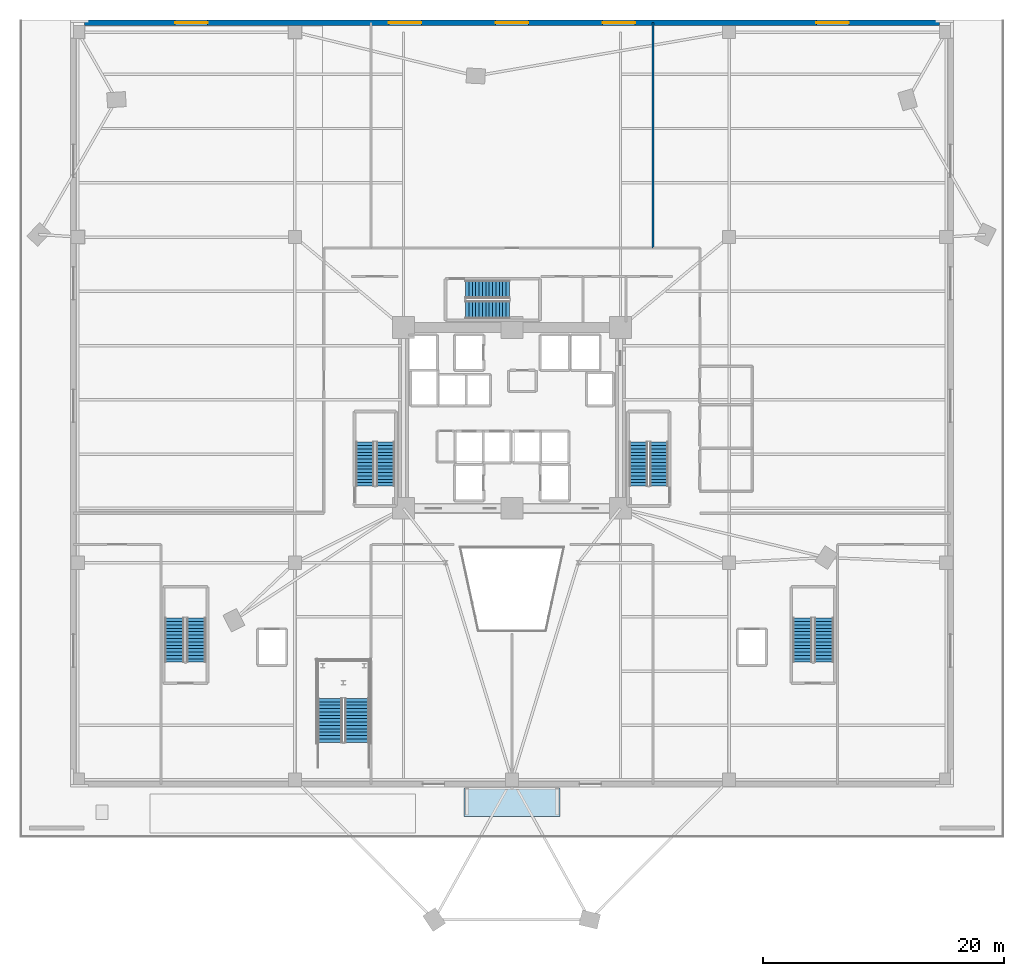
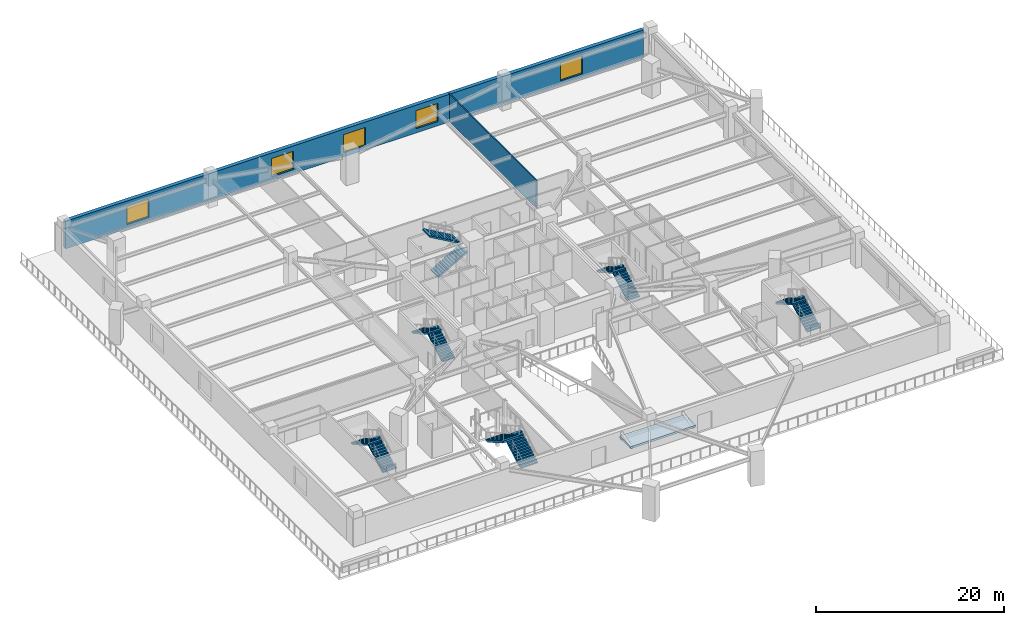
# One storey, part 11 of 19: 12 stair flights, 5 windows, 2 walls, 1 roof, 5 openings, 6 elements without a shape of their own.
"""IFC4 building model written with IfcOpenShell, lengths in metres."""

from ifc_helpers import new_model, si_unit, direction, frame, frame_2d, origin, place, context, subcontext, project, spatial, polyline, rectangle, outline, extrude, source, transform, mapped, material, layer, layer_set, type_object, element, fill, aggregate, save


model = new_model("IFC4")

# Units and contexts
model_context = context("Model", 3, precision=1e-05, world=origin(), true_north=direction((0.0, 1.0)))
body_context = subcontext(model_context, "Body", "Model", "MODEL_VIEW")
ifc_project = project(units=[si_unit("LENGTHUNIT", "METRE"), si_unit("AREAUNIT", "SQUARE_METRE"), si_unit("VOLUMEUNIT", "CUBIC_METRE"), si_unit("PLANEANGLEUNIT", "RADIAN"), si_unit("MASSUNIT", "GRAM", prefix="KILO")], contexts=[model_context])

# Site, building, storey
site_placement = place(None, origin())
site = spatial("IfcSite", under=ifc_project, at=site_placement, CompositionType="ELEMENT")
building_placement = place(site_placement, origin())
building = spatial("IfcBuilding", under=site, at=building_placement, Name="Liaohun Quay Tower", CompositionType="ELEMENT")
storey_placement = place(building_placement, frame((0.0, 0.0, 18.89990234375)))
storey = spatial("IfcBuildingStorey", under=building, at=storey_placement, Name="L05", CompositionType="ELEMENT", Elevation=18.89990234375)

# Wall, openings, windows
ifc_material_1 = material(Name="Precast concrete C50 with granite facing", Category="masonry")
ifc_layer_1 = layer(ifc_material_1, 0.4599609375, Name="Precast concrete C50 with granite facing", Category="masonry")
ifc_layer_set_1 = layer_set([ifc_layer_1], Name="Precast concrete C50 with granite facing")
wall_type_1 = type_object("IfcWallType", Name="WAL-EXT-POD", PredefinedType="SOLIDWALL", material=ifc_layer_set_1)
wall_1_placement = place(storey_placement, frame((95.4599609375, 86.77001953125, 0.0), z_axis=(0.0, 0.0, 1.0), x_axis=(-1.0, 0.0, 0.0)))
wall_1 = element("IfcWall", 1, at=wall_1_placement, inside=storey, type_object=wall_type_1, Name="L05 Podium Precast Facade Wall 02", PredefinedType="SOLIDWALL", context=body_context, shape_type="SweptSolid", body=[
    extrude(rectangle(XDim=70.919921875, YDim=0.4599609375, at=frame_2d((35.4599609375, 0.0))), origin(), (0.0, 0.0, 1.0), 3.60009765625),
])
shared_shape_1 = source(origin(), body_context, "Body", "SweptSolid", [
    extrude(rectangle(XDim=2.699951171875, YDim=2.35009765625, at=frame_2d((1.35009765625, 1.175048828125))), frame((0.0, 0.239990234375, 0.0), z_axis=(0.0, -1.0, 0.0), x_axis=(1.0, 0.0, 0.0)), (0.0, 0.0, 1.0), 0.47998046875),
])
opening_1_placement = place(wall_1_placement, frame((7.514892578125, 0.0, 0.550048828125)))
opening_1 = element("IfcOpeningElement", 2, at=opening_1_placement, cuts=wall_1, Name="Opening W06", PredefinedType="OPENING", context=body_context, shape_type="MappedRepresentation", body=[
    mapped(shared_shape_1, transform((0.0, 0.0, 0.0), x_axis=(1.0, 0.0, 0.0), y_axis=(0.0, 1.0, 0.0), z_axis=(0.0, 0.0, 1.0), scale=1.0)),
])
opening_2_placement = place(wall_1_placement, frame((25.2451171875, 0.0, 0.550048828125)))
opening_2 = element("IfcOpeningElement", 3, at=opening_2_placement, cuts=wall_1, Name="Opening W06", PredefinedType="OPENING", context=body_context, shape_type="MappedRepresentation", body=[
    mapped(shared_shape_1, transform((0.0, 0.0, 0.0), x_axis=(1.0, 0.0, 0.0), y_axis=(0.0, 1.0, 0.0), z_axis=(0.0, 0.0, 1.0), scale=1.0)),
])
opening_3_placement = place(wall_1_placement, frame((34.110107421875, 0.0, 0.550048828125)))
opening_3 = element("IfcOpeningElement", 4, at=opening_3_placement, cuts=wall_1, Name="Opening W06", PredefinedType="OPENING", context=body_context, shape_type="MappedRepresentation", body=[
    mapped(shared_shape_1, transform((0.0, 0.0, 0.0), x_axis=(1.0, 0.0, 0.0), y_axis=(0.0, 1.0, 0.0), z_axis=(0.0, 0.0, 1.0), scale=1.0)),
])
opening_4_placement = place(wall_1_placement, frame((42.97509765625, 0.0, 0.550048828125)))
opening_4 = element("IfcOpeningElement", 5, at=opening_4_placement, cuts=wall_1, Name="Opening W06", PredefinedType="OPENING", context=body_context, shape_type="MappedRepresentation", body=[
    mapped(shared_shape_1, transform((0.0, 0.0, 0.0), x_axis=(1.0, 0.0, 0.0), y_axis=(0.0, 1.0, 0.0), z_axis=(0.0, 0.0, 1.0), scale=1.0)),
])
opening_5_placement = place(wall_1_placement, frame((60.705078125, 0.0, 0.550048828125)))
opening_5 = element("IfcOpeningElement", 6, at=opening_5_placement, cuts=wall_1, Name="Opening W06", PredefinedType="OPENING", context=body_context, shape_type="MappedRepresentation", body=[
    mapped(shared_shape_1, transform((0.0, 0.0, 0.0), x_axis=(1.0, 0.0, 0.0), y_axis=(0.0, 1.0, 0.0), z_axis=(0.0, 0.0, 1.0), scale=1.0)),
])
ifc_material_2 = material(Name="Triple Low-E waterfront podium glazing", Category="glass")
window_type = type_object("IfcWindowType", Name="WIN-POD-ARC", PartitioningType="TRIPLE_PANEL_VERTICAL", PredefinedType="WINDOW", material=ifc_material_2)
shared_shape_2 = source(origin(), body_context, "Body", "SweptSolid", [
    extrude(rectangle(XDim=2.699951171875, YDim=2.35009765625, at=frame_2d((1.35009765625, 1.175048828125))), frame((0.0, 0.030029296875, 0.0), z_axis=(0.0, -1.0, 0.0), x_axis=(1.0, 0.0, 0.0)), (0.0, 0.0, 1.0), 0.06005859375),
])
window_1_placement = place(opening_1_placement, origin())
window_1 = element("IfcWindow", 7, at=window_1_placement, inside=storey, type_object=window_type, Name="L05 Podium Punched Window W06-02-01", OverallHeight=2.35009765625, OverallWidth=2.699951171875, PartitioningType="TRIPLE_PANEL_VERTICAL", PredefinedType="WINDOW", context=body_context, shape_type="MappedRepresentation", body=[
    mapped(shared_shape_2, transform((0.0, 0.0, 0.0), x_axis=(1.0, 0.0, 0.0), y_axis=(0.0, 1.0, 0.0), z_axis=(0.0, 0.0, 1.0), scale=1.0)),
])
fill(opening_1, window_1)
window_2_placement = place(opening_2_placement, origin())
window_2 = element("IfcWindow", 8, at=window_2_placement, inside=storey, type_object=window_type, Name="L05 Podium Punched Window W06-02-03", OverallHeight=2.35009765625, OverallWidth=2.699951171875, PartitioningType="TRIPLE_PANEL_VERTICAL", PredefinedType="WINDOW", context=body_context, shape_type="MappedRepresentation", body=[
    mapped(shared_shape_2, transform((0.0, 0.0, 0.0), x_axis=(1.0, 0.0, 0.0), y_axis=(0.0, 1.0, 0.0), z_axis=(0.0, 0.0, 1.0), scale=1.0)),
])
fill(opening_2, window_2)
window_3_placement = place(opening_3_placement, origin())
window_3 = element("IfcWindow", 9, at=window_3_placement, inside=storey, type_object=window_type, Name="L05 Podium Punched Window W06-02-04", OverallHeight=2.35009765625, OverallWidth=2.699951171875, PartitioningType="TRIPLE_PANEL_VERTICAL", PredefinedType="WINDOW", context=body_context, shape_type="MappedRepresentation", body=[
    mapped(shared_shape_2, transform((0.0, 0.0, 0.0), x_axis=(1.0, 0.0, 0.0), y_axis=(0.0, 1.0, 0.0), z_axis=(0.0, 0.0, 1.0), scale=1.0)),
])
fill(opening_3, window_3)
window_4_placement = place(opening_4_placement, origin())
window_4 = element("IfcWindow", 10, at=window_4_placement, inside=storey, type_object=window_type, Name="L05 Podium Punched Window W06-02-05", OverallHeight=2.35009765625, OverallWidth=2.699951171875, PartitioningType="TRIPLE_PANEL_VERTICAL", PredefinedType="WINDOW", context=body_context, shape_type="MappedRepresentation", body=[
    mapped(shared_shape_2, transform((0.0, 0.0, 0.0), x_axis=(1.0, 0.0, 0.0), y_axis=(0.0, 1.0, 0.0), z_axis=(0.0, 0.0, 1.0), scale=1.0)),
])
fill(opening_4, window_4)
window_5_placement = place(opening_5_placement, origin())
window_5 = element("IfcWindow", 11, at=window_5_placement, inside=storey, type_object=window_type, Name="L05 Podium Punched Window W06-02-07", OverallHeight=2.35009765625, OverallWidth=2.699951171875, PartitioningType="TRIPLE_PANEL_VERTICAL", PredefinedType="WINDOW", context=body_context, shape_type="MappedRepresentation", body=[
    mapped(shared_shape_2, transform((0.0, 0.0, 0.0), x_axis=(1.0, 0.0, 0.0), y_axis=(0.0, 1.0, 0.0), z_axis=(0.0, 0.0, 1.0), scale=1.0)),
])
fill(opening_5, window_5)

# Wall
ifc_material_3 = material(Name="Gypsum board on twin steel studs", Category="steel")
ifc_layer_2 = layer(ifc_material_3, 0.139892578125, Name="Gypsum board on twin steel studs", Category="steel")
ifc_layer_set_2 = layer_set([ifc_layer_2], Name="Gypsum board on twin steel studs")
wall_type_2 = type_object("IfcWallType", Name="WAL-PRT-OFF", PredefinedType="PARTITIONING", material=ifc_layer_set_2)
wall_2_placement = place(storey_placement, frame((71.699951171875, 68.10009765625, 0.0), z_axis=(0.0, 0.0, 1.0), x_axis=(0.0, 1.0, 0.0)))
element("IfcWall", 12, at=wall_2_placement, inside=storey, type_object=wall_type_2, Name="L05 Interior Partition Wall 037", PredefinedType="PARTITIONING", context=body_context, shape_type="SweptSolid", body=[
    extrude(rectangle(XDim=18.6748046875, YDim=0.139892578125, at=frame_2d((9.33740234375, 0.0))), origin(), (0.0, 0.0, 1.0), 3.60009765625),
])

# Stair, stair flights
ifc_material_4 = material(Name="Precast concrete C50", Category="concrete")
stair_type_1 = type_object("IfcStairType", Name="STR-MON-ATR", PredefinedType="STRAIGHT_RUN_STAIR", material=ifc_material_4)
stair_1_placement = place(storey_placement, origin())
stair_1 = element("IfcStair", 13, at=stair_1_placement, inside=storey, type_object=stair_type_1, Name="L05 Monumental Atrium Feature Stair ST-A", PredefinedType="STRAIGHT_RUN_STAIR")
stair_flight_type_1 = type_object("IfcStairFlightType", Name="FLT-ATR-210", PredefinedType="STRAIGHT", material=ifc_material_4)
stair_flight_1_placement = place(storey_placement, frame((47.14990234375, 27.10009765625, 0.0), z_axis=(0.0, 0.0, 1.0), x_axis=(0.0, 1.0, 0.0)))
stair_flight_1 = element("IfcStairFlight", 14, at=stair_flight_1_placement, type_object=stair_flight_type_1, Name="ST-A flight 1", NumberOfRisers=14, NumberOfTreads=13, PredefinedType="STRAIGHT", RiserHeight=0.160714286, TreadLength=0.28, context=body_context, shape_type="SweptSolid", body=[
    extrude(outline(polyline([(0.0, 0.0), (0.0, 0.16064453125), (0.280029296875, 0.16064453125), (0.280029296875, 0.321533203125), (0.56005859375, 0.321533203125), (0.56005859375, 0.482177734375), (0.840087890625, 0.482177734375), (0.840087890625, 0.642822265625), (1.1201171875, 0.642822265625), (1.1201171875, 0.803466796875), (1.39990234375, 0.803466796875), (1.39990234375, 0.96435546875), (1.679931640625, 0.96435546875), (1.679931640625, 1.125), (1.9599609375, 1.125), (1.9599609375, 1.28564453125), (2.239990234375, 1.28564453125), (2.239990234375, 1.446533203125), (2.52001953125, 1.446533203125), (2.52001953125, 1.607177734375), (2.800048828125, 1.607177734375), (2.800048828125, 1.767822265625), (3.080078125, 1.767822265625), (3.080078125, 1.928466796875), (3.360107421875, 1.928466796875), (3.360107421875, 2.08935546875), (3.639892578125, 2.08935546875), (3.639892578125, 2.25), (3.639892578125, 1.835693359375), (0.44189453125, 0.0), (0.0, 0.0)])), frame((0.0, 1.050048828125, 0.0), z_axis=(0.0, -1.0, 0.0), x_axis=(1.0, 0.0, 0.0)), (0.0, 0.0, 1.0), 2.10009765625),
])
stair_flight_2_placement = place(storey_placement, frame((44.909912109375, 30.739990234375, 2.25), z_axis=(0.0, 0.0, 1.0), x_axis=(0.0, -1.0, 0.0)))
stair_flight_2 = element("IfcStairFlight", 15, at=stair_flight_2_placement, type_object=stair_flight_type_1, Name="ST-A flight 2", NumberOfRisers=14, NumberOfTreads=13, PredefinedType="STRAIGHT", RiserHeight=0.160714286, TreadLength=0.28, context=body_context, shape_type="SweptSolid", body=[
    extrude(outline(polyline([(0.0, 0.0), (0.0, 0.16064453125), (0.280029296875, 0.16064453125), (0.280029296875, 0.321533203125), (0.56005859375, 0.321533203125), (0.56005859375, 0.482177734375), (0.840087890625, 0.482177734375), (0.840087890625, 0.642822265625), (1.1201171875, 0.642822265625), (1.1201171875, 0.803466796875), (1.39990234375, 0.803466796875), (1.39990234375, 0.96435546875), (1.679931640625, 0.96435546875), (1.679931640625, 1.125), (1.9599609375, 1.125), (1.9599609375, 1.28564453125), (2.239990234375, 1.28564453125), (2.239990234375, 1.446533203125), (2.52001953125, 1.446533203125), (2.52001953125, 1.607177734375), (2.800048828125, 1.607177734375), (2.800048828125, 1.767822265625), (3.080078125, 1.767822265625), (3.080078125, 1.928466796875), (3.360107421875, 1.928466796875), (3.360107421875, 2.08935546875), (3.639892578125, 2.08935546875), (3.639892578125, 2.25), (3.639892578125, 1.835693359375), (0.44189453125, 0.0), (0.0, 0.0)])), frame((0.0, 1.050048828125, 0.0), z_axis=(0.0, -1.0, 0.0), x_axis=(1.0, 0.0, 0.0)), (0.0, 0.0, 1.0), 2.10009765625),
])
aggregate(stair_1, [stair_flight_1, stair_flight_2])

ifc_material_5 = material(Name="Concrete C45", Category="concrete")
stair_type_2 = type_object("IfcStairType", Name="STR-CORE-TALL", PredefinedType="HALF_TURN_STAIR", material=ifc_material_5)
stair_2_placement = place(storey_placement, origin())
stair_2 = element("IfcStair", 16, at=stair_2_placement, inside=storey, type_object=stair_type_2, Name="L05 Smokeproof Core Exit Stair ST-1", PredefinedType="HALF_TURN_STAIR")
stair_flight_type_2 = type_object("IfcStairFlightType", Name="FLT-CORE-155", PredefinedType="STRAIGHT", material=ifc_material_5)
stair_flight_3_placement = place(storey_placement, frame((49.5048828125, 48.35009765625, 0.0), z_axis=(0.0, 0.0, 1.0), x_axis=(0.0, 1.0, 0.0)))
stair_flight_3 = element("IfcStairFlight", 17, at=stair_flight_3_placement, type_object=stair_flight_type_2, Name="ST-1 flight 1", NumberOfRisers=14, NumberOfTreads=13, PredefinedType="STRAIGHT", RiserHeight=0.160714286, TreadLength=0.28, context=body_context, shape_type="SweptSolid", body=[
    extrude(outline(polyline([(0.0, 0.0), (0.0, 0.16064453125), (0.280029296875, 0.16064453125), (0.280029296875, 0.321533203125), (0.56005859375, 0.321533203125), (0.56005859375, 0.482177734375), (0.840087890625, 0.482177734375), (0.840087890625, 0.642822265625), (1.1201171875, 0.642822265625), (1.1201171875, 0.803466796875), (1.39990234375, 0.803466796875), (1.39990234375, 0.96435546875), (1.679931640625, 0.96435546875), (1.679931640625, 1.125), (1.9599609375, 1.125), (1.9599609375, 1.28564453125), (2.239990234375, 1.28564453125), (2.239990234375, 1.446533203125), (2.52001953125, 1.446533203125), (2.52001953125, 1.607177734375), (2.800048828125, 1.607177734375), (2.800048828125, 1.767822265625), (3.080078125, 1.767822265625), (3.080078125, 1.928466796875), (3.360107421875, 1.928466796875), (3.360107421875, 2.08935546875), (3.639892578125, 2.08935546875), (3.639892578125, 2.25), (3.639892578125, 1.91650390625), (0.301025390625, 0.0), (0.0, 0.0)])), frame((0.0, 0.77490234375, 0.0), z_axis=(0.0, -1.0, 0.0), x_axis=(1.0, 0.0, 0.0)), (0.0, 0.0, 1.0), 1.550048828125),
])
stair_flight_4_placement = place(storey_placement, frame((47.81494140625, 51.989990234375, 2.25), z_axis=(0.0, 0.0, 1.0), x_axis=(0.0, -1.0, 0.0)))
stair_flight_4 = element("IfcStairFlight", 18, at=stair_flight_4_placement, type_object=stair_flight_type_2, Name="ST-1 flight 2", NumberOfRisers=14, NumberOfTreads=13, PredefinedType="STRAIGHT", RiserHeight=0.160714286, TreadLength=0.28, context=body_context, shape_type="SweptSolid", body=[
    extrude(outline(polyline([(0.0, 0.0), (0.0, 0.16064453125), (0.280029296875, 0.16064453125), (0.280029296875, 0.321533203125), (0.56005859375, 0.321533203125), (0.56005859375, 0.482177734375), (0.840087890625, 0.482177734375), (0.840087890625, 0.642822265625), (1.1201171875, 0.642822265625), (1.1201171875, 0.803466796875), (1.39990234375, 0.803466796875), (1.39990234375, 0.96435546875), (1.679931640625, 0.96435546875), (1.679931640625, 1.125), (1.9599609375, 1.125), (1.9599609375, 1.28564453125), (2.239990234375, 1.28564453125), (2.239990234375, 1.446533203125), (2.52001953125, 1.446533203125), (2.52001953125, 1.607177734375), (2.800048828125, 1.607177734375), (2.800048828125, 1.767822265625), (3.080078125, 1.767822265625), (3.080078125, 1.928466796875), (3.360107421875, 1.928466796875), (3.360107421875, 2.08935546875), (3.639892578125, 2.08935546875), (3.639892578125, 2.25), (3.639892578125, 1.91650390625), (0.301025390625, 0.0), (0.0, 0.0)])), frame((0.0, 0.77490234375, 0.0), z_axis=(0.0, -1.0, 0.0), x_axis=(1.0, 0.0, 0.0)), (0.0, 0.0, 1.0), 1.550048828125),
])
aggregate(stair_2, [stair_flight_3, stair_flight_4])

stair_3_placement = place(storey_placement, origin())
stair_3 = element("IfcStair", 19, at=stair_3_placement, inside=storey, type_object=stair_type_2, Name="L05 Smokeproof Core Exit Stair ST-2", PredefinedType="HALF_TURN_STAIR")
stair_flight_5_placement = place(storey_placement, frame((72.18505859375, 48.35009765625, 0.0), z_axis=(0.0, 0.0, 1.0), x_axis=(0.0, 1.0, 0.0)))
stair_flight_5 = element("IfcStairFlight", 20, at=stair_flight_5_placement, type_object=stair_flight_type_2, Name="ST-2 flight 1", NumberOfRisers=14, NumberOfTreads=13, PredefinedType="STRAIGHT", RiserHeight=0.160714286, TreadLength=0.28, context=body_context, shape_type="SweptSolid", body=[
    extrude(outline(polyline([(0.0, 0.0), (0.0, 0.16064453125), (0.280029296875, 0.16064453125), (0.280029296875, 0.321533203125), (0.56005859375, 0.321533203125), (0.56005859375, 0.482177734375), (0.840087890625, 0.482177734375), (0.840087890625, 0.642822265625), (1.1201171875, 0.642822265625), (1.1201171875, 0.803466796875), (1.39990234375, 0.803466796875), (1.39990234375, 0.96435546875), (1.679931640625, 0.96435546875), (1.679931640625, 1.125), (1.9599609375, 1.125), (1.9599609375, 1.28564453125), (2.239990234375, 1.28564453125), (2.239990234375, 1.446533203125), (2.52001953125, 1.446533203125), (2.52001953125, 1.607177734375), (2.800048828125, 1.607177734375), (2.800048828125, 1.767822265625), (3.080078125, 1.767822265625), (3.080078125, 1.928466796875), (3.360107421875, 1.928466796875), (3.360107421875, 2.08935546875), (3.639892578125, 2.08935546875), (3.639892578125, 2.25), (3.639892578125, 1.91650390625), (0.301025390625, 0.0), (0.0, 0.0)])), frame((0.0, 0.77490234375, 0.0), z_axis=(0.0, -1.0, 0.0), x_axis=(1.0, 0.0, 0.0)), (0.0, 0.0, 1.0), 1.550048828125),
])
stair_flight_6_placement = place(storey_placement, frame((70.4951171875, 51.989990234375, 2.25), z_axis=(0.0, 0.0, 1.0), x_axis=(0.0, -1.0, 0.0)))
stair_flight_6 = element("IfcStairFlight", 21, at=stair_flight_6_placement, type_object=stair_flight_type_2, Name="ST-2 flight 2", NumberOfRisers=14, NumberOfTreads=13, PredefinedType="STRAIGHT", RiserHeight=0.160714286, TreadLength=0.28, context=body_context, shape_type="SweptSolid", body=[
    extrude(outline(polyline([(0.0, 0.0), (0.0, 0.16064453125), (0.280029296875, 0.16064453125), (0.280029296875, 0.321533203125), (0.56005859375, 0.321533203125), (0.56005859375, 0.482177734375), (0.840087890625, 0.482177734375), (0.840087890625, 0.642822265625), (1.1201171875, 0.642822265625), (1.1201171875, 0.803466796875), (1.39990234375, 0.803466796875), (1.39990234375, 0.96435546875), (1.679931640625, 0.96435546875), (1.679931640625, 1.125), (1.9599609375, 1.125), (1.9599609375, 1.28564453125), (2.239990234375, 1.28564453125), (2.239990234375, 1.446533203125), (2.52001953125, 1.446533203125), (2.52001953125, 1.607177734375), (2.800048828125, 1.607177734375), (2.800048828125, 1.767822265625), (3.080078125, 1.767822265625), (3.080078125, 1.928466796875), (3.360107421875, 1.928466796875), (3.360107421875, 2.08935546875), (3.639892578125, 2.08935546875), (3.639892578125, 2.25), (3.639892578125, 1.91650390625), (0.301025390625, 0.0), (0.0, 0.0)])), frame((0.0, 0.77490234375, 0.0), z_axis=(0.0, -1.0, 0.0), x_axis=(1.0, 0.0, 0.0)), (0.0, 0.0, 1.0), 1.550048828125),
])
aggregate(stair_3, [stair_flight_5, stair_flight_6])

stair_4_placement = place(storey_placement, origin())
stair_4 = element("IfcStair", 22, at=stair_4_placement, inside=storey, type_object=stair_type_2, Name="L05 Smokeproof Core Exit Stair ST-3", PredefinedType="HALF_TURN_STAIR")
stair_flight_7_placement = place(storey_placement, frame((56.14990234375, 62.97509765625, 0.0), z_axis=(0.0, 0.0, 1.0), x_axis=(1.0, 0.0, 0.0)))
stair_flight_7 = element("IfcStairFlight", 23, at=stair_flight_7_placement, type_object=stair_flight_type_2, Name="ST-3 flight 1", NumberOfRisers=14, NumberOfTreads=13, PredefinedType="STRAIGHT", RiserHeight=0.160714286, TreadLength=0.28, context=body_context, shape_type="SweptSolid", body=[
    extrude(outline(polyline([(0.0, 0.0), (0.0, 0.16064453125), (0.280029296875, 0.16064453125), (0.280029296875, 0.321533203125), (0.56005859375, 0.321533203125), (0.56005859375, 0.482177734375), (0.840087890625, 0.482177734375), (0.840087890625, 0.642822265625), (1.1201171875, 0.642822265625), (1.1201171875, 0.803466796875), (1.39990234375, 0.803466796875), (1.39990234375, 0.96435546875), (1.679931640625, 0.96435546875), (1.679931640625, 1.125), (1.9599609375, 1.125), (1.9599609375, 1.28564453125), (2.239990234375, 1.28564453125), (2.239990234375, 1.446533203125), (2.52001953125, 1.446533203125), (2.52001953125, 1.607177734375), (2.800048828125, 1.607177734375), (2.800048828125, 1.767822265625), (3.080078125, 1.767822265625), (3.080078125, 1.928466796875), (3.360107421875, 1.928466796875), (3.360107421875, 2.08935546875), (3.639892578125, 2.08935546875), (3.639892578125, 2.25), (3.639892578125, 1.91650390625), (0.301025390625, 0.0), (0.0, 0.0)])), frame((0.0, 0.77490234375, 0.0), z_axis=(0.0, -1.0, 0.0), x_axis=(1.0, 0.0, 0.0)), (0.0, 0.0, 1.0), 1.550048828125),
])
stair_flight_8_placement = place(storey_placement, frame((59.7900390625, 64.6650390625, 2.25), z_axis=(0.0, 0.0, 1.0), x_axis=(-1.0, 0.0, 0.0)))
stair_flight_8 = element("IfcStairFlight", 24, at=stair_flight_8_placement, type_object=stair_flight_type_2, Name="ST-3 flight 2", NumberOfRisers=14, NumberOfTreads=13, PredefinedType="STRAIGHT", RiserHeight=0.160714286, TreadLength=0.28, context=body_context, shape_type="SweptSolid", body=[
    extrude(outline(polyline([(0.0, 0.0), (0.0, 0.16064453125), (0.280029296875, 0.16064453125), (0.280029296875, 0.321533203125), (0.56005859375, 0.321533203125), (0.56005859375, 0.482177734375), (0.840087890625, 0.482177734375), (0.840087890625, 0.642822265625), (1.1201171875, 0.642822265625), (1.1201171875, 0.803466796875), (1.39990234375, 0.803466796875), (1.39990234375, 0.96435546875), (1.679931640625, 0.96435546875), (1.679931640625, 1.125), (1.9599609375, 1.125), (1.9599609375, 1.28564453125), (2.239990234375, 1.28564453125), (2.239990234375, 1.446533203125), (2.52001953125, 1.446533203125), (2.52001953125, 1.607177734375), (2.800048828125, 1.607177734375), (2.800048828125, 1.767822265625), (3.080078125, 1.767822265625), (3.080078125, 1.928466796875), (3.360107421875, 1.928466796875), (3.360107421875, 2.08935546875), (3.639892578125, 2.08935546875), (3.639892578125, 2.25), (3.639892578125, 1.91650390625), (0.301025390625, 0.0), (0.0, 0.0)])), frame((0.0, 0.77490234375, 0.0), z_axis=(0.0, -1.0, 0.0), x_axis=(1.0, 0.0, 0.0)), (0.0, 0.0, 1.0), 1.550048828125),
])
aggregate(stair_4, [stair_flight_7, stair_flight_8])

stair_type_3 = type_object("IfcStairType", Name="STR-POD-EXIT", PredefinedType="TWO_STRAIGHT_RUN_STAIR", material=ifc_material_5)
stair_5_placement = place(storey_placement, origin())
stair_5 = element("IfcStair", 25, at=stair_5_placement, inside=storey, type_object=stair_type_3, Name="L05 Podium Smokeproof Exit Stair ST-P1", PredefinedType="TWO_STRAIGHT_RUN_STAIR")
stair_flight_type_3 = type_object("IfcStairFlightType", Name="FLT-POD-165", PredefinedType="STRAIGHT", material=ifc_material_5)
stair_flight_9_placement = place(storey_placement, frame((33.81494140625, 33.75, 0.0), z_axis=(0.0, 0.0, 1.0), x_axis=(0.0, 1.0, 0.0)))
stair_flight_9 = element("IfcStairFlight", 26, at=stair_flight_9_placement, type_object=stair_flight_type_3, Name="ST-P1 flight 1", NumberOfRisers=14, NumberOfTreads=13, PredefinedType="STRAIGHT", RiserHeight=0.160714286, TreadLength=0.28, context=body_context, shape_type="SweptSolid", body=[
    extrude(outline(polyline([(0.0, 0.0), (0.0, 0.16064453125), (0.280029296875, 0.16064453125), (0.280029296875, 0.321533203125), (0.56005859375, 0.321533203125), (0.56005859375, 0.482177734375), (0.840087890625, 0.482177734375), (0.840087890625, 0.642822265625), (1.1201171875, 0.642822265625), (1.1201171875, 0.803466796875), (1.39990234375, 0.803466796875), (1.39990234375, 0.96435546875), (1.679931640625, 0.96435546875), (1.679931640625, 1.125), (1.9599609375, 1.125), (1.9599609375, 1.28564453125), (2.239990234375, 1.28564453125), (2.239990234375, 1.446533203125), (2.52001953125, 1.446533203125), (2.52001953125, 1.607177734375), (2.800048828125, 1.607177734375), (2.800048828125, 1.767822265625), (3.080078125, 1.767822265625), (3.080078125, 1.928466796875), (3.360107421875, 1.928466796875), (3.360107421875, 2.08935546875), (3.639892578125, 2.08935546875), (3.639892578125, 2.25), (3.639892578125, 1.91650390625), (0.301025390625, 0.0), (0.0, 0.0)])), frame((0.0, 0.824951171875, 0.0), z_axis=(0.0, -1.0, 0.0), x_axis=(1.0, 0.0, 0.0)), (0.0, 0.0, 1.0), 1.64990234375),
])
stair_flight_10_placement = place(storey_placement, frame((32.02490234375, 37.389892578125, 2.25), z_axis=(0.0, 0.0, 1.0), x_axis=(0.0, -1.0, 0.0)))
stair_flight_10 = element("IfcStairFlight", 27, at=stair_flight_10_placement, type_object=stair_flight_type_3, Name="ST-P1 flight 2", NumberOfRisers=14, NumberOfTreads=13, PredefinedType="STRAIGHT", RiserHeight=0.160714286, TreadLength=0.28, context=body_context, shape_type="SweptSolid", body=[
    extrude(outline(polyline([(0.0, 0.0), (0.0, 0.16064453125), (0.280029296875, 0.16064453125), (0.280029296875, 0.321533203125), (0.56005859375, 0.321533203125), (0.56005859375, 0.482177734375), (0.840087890625, 0.482177734375), (0.840087890625, 0.642822265625), (1.1201171875, 0.642822265625), (1.1201171875, 0.803466796875), (1.39990234375, 0.803466796875), (1.39990234375, 0.96435546875), (1.679931640625, 0.96435546875), (1.679931640625, 1.125), (1.9599609375, 1.125), (1.9599609375, 1.28564453125), (2.239990234375, 1.28564453125), (2.239990234375, 1.446533203125), (2.52001953125, 1.446533203125), (2.52001953125, 1.607177734375), (2.800048828125, 1.607177734375), (2.800048828125, 1.767822265625), (3.080078125, 1.767822265625), (3.080078125, 1.928466796875), (3.360107421875, 1.928466796875), (3.360107421875, 2.08935546875), (3.639892578125, 2.08935546875), (3.639892578125, 2.25), (3.639892578125, 1.91650390625), (0.301025390625, 0.0), (0.0, 0.0)])), frame((0.0, 0.824951171875, 0.0), z_axis=(0.0, -1.0, 0.0), x_axis=(1.0, 0.0, 0.0)), (0.0, 0.0, 1.0), 1.64990234375),
])
aggregate(stair_5, [stair_flight_9, stair_flight_10])

stair_6_placement = place(storey_placement, origin())
stair_6 = element("IfcStair", 28, at=stair_6_placement, inside=storey, type_object=stair_type_3, Name="L05 Podium Smokeproof Exit Stair ST-P2", PredefinedType="TWO_STRAIGHT_RUN_STAIR")
stair_flight_11_placement = place(storey_placement, frame((85.875, 33.75, 0.0), z_axis=(0.0, 0.0, 1.0), x_axis=(0.0, 1.0, 0.0)))
stair_flight_11 = element("IfcStairFlight", 29, at=stair_flight_11_placement, type_object=stair_flight_type_3, Name="ST-P2 flight 1", NumberOfRisers=14, NumberOfTreads=13, PredefinedType="STRAIGHT", RiserHeight=0.160714286, TreadLength=0.28, context=body_context, shape_type="SweptSolid", body=[
    extrude(outline(polyline([(0.0, 0.0), (0.0, 0.16064453125), (0.280029296875, 0.16064453125), (0.280029296875, 0.321533203125), (0.56005859375, 0.321533203125), (0.56005859375, 0.482177734375), (0.840087890625, 0.482177734375), (0.840087890625, 0.642822265625), (1.1201171875, 0.642822265625), (1.1201171875, 0.803466796875), (1.39990234375, 0.803466796875), (1.39990234375, 0.96435546875), (1.679931640625, 0.96435546875), (1.679931640625, 1.125), (1.9599609375, 1.125), (1.9599609375, 1.28564453125), (2.239990234375, 1.28564453125), (2.239990234375, 1.446533203125), (2.52001953125, 1.446533203125), (2.52001953125, 1.607177734375), (2.800048828125, 1.607177734375), (2.800048828125, 1.767822265625), (3.080078125, 1.767822265625), (3.080078125, 1.928466796875), (3.360107421875, 1.928466796875), (3.360107421875, 2.08935546875), (3.639892578125, 2.08935546875), (3.639892578125, 2.25), (3.639892578125, 1.91650390625), (0.301025390625, 0.0), (0.0, 0.0)])), frame((0.0, 0.824951171875, 0.0), z_axis=(0.0, -1.0, 0.0), x_axis=(1.0, 0.0, 0.0)), (0.0, 0.0, 1.0), 1.64990234375),
])
stair_flight_12_placement = place(storey_placement, frame((84.0849609375, 37.389892578125, 2.25), z_axis=(0.0, 0.0, 1.0), x_axis=(0.0, -1.0, 0.0)))
stair_flight_12 = element("IfcStairFlight", 30, at=stair_flight_12_placement, type_object=stair_flight_type_3, Name="ST-P2 flight 2", NumberOfRisers=14, NumberOfTreads=13, PredefinedType="STRAIGHT", RiserHeight=0.160714286, TreadLength=0.28, context=body_context, shape_type="SweptSolid", body=[
    extrude(outline(polyline([(0.0, 0.0), (0.0, 0.16064453125), (0.280029296875, 0.16064453125), (0.280029296875, 0.321533203125), (0.56005859375, 0.321533203125), (0.56005859375, 0.482177734375), (0.840087890625, 0.482177734375), (0.840087890625, 0.642822265625), (1.1201171875, 0.642822265625), (1.1201171875, 0.803466796875), (1.39990234375, 0.803466796875), (1.39990234375, 0.96435546875), (1.679931640625, 0.96435546875), (1.679931640625, 1.125), (1.9599609375, 1.125), (1.9599609375, 1.28564453125), (2.239990234375, 1.28564453125), (2.239990234375, 1.446533203125), (2.52001953125, 1.446533203125), (2.52001953125, 1.607177734375), (2.800048828125, 1.607177734375), (2.800048828125, 1.767822265625), (3.080078125, 1.767822265625), (3.080078125, 1.928466796875), (3.360107421875, 1.928466796875), (3.360107421875, 2.08935546875), (3.639892578125, 2.08935546875), (3.639892578125, 2.25), (3.639892578125, 1.91650390625), (0.301025390625, 0.0), (0.0, 0.0)])), frame((0.0, 0.824951171875, 0.0), z_axis=(0.0, -1.0, 0.0), x_axis=(1.0, 0.0, 0.0)), (0.0, 0.0, 1.0), 1.64990234375),
])
aggregate(stair_6, [stair_flight_11, stair_flight_12])

# Roof
ifc_layer_3 = layer(ifc_material_4, 0.260009765625, Name="Precast concrete C50", Category="concrete")
ifc_layer_set_3 = layer_set([ifc_layer_3], Name="Precast concrete C50")
roof_type = type_object("IfcRoofType", Name="ROF-POD-CAN", PredefinedType="FLAT_ROOF", material=ifc_layer_set_3)
roof_placement = place(storey_placement, frame((0.0, 0.0, 2.85009765625)))
element("IfcRoof", 31, at=roof_placement, inside=storey, type_object=roof_type, Name="L05 Terrace Canopy", PredefinedType="FLAT_ROOF", context=body_context, shape_type="SweptSolid", body=[
    extrude(outline(polyline([(56.0, 20.949951171875), (64.0, 20.949951171875), (64.0, 23.280029296875), (56.0, 23.280029296875), (56.0, 20.949951171875)])), origin(), (0.0, 0.0, 1.0), 0.260009765625),
])

save(model, "model.ifc")
